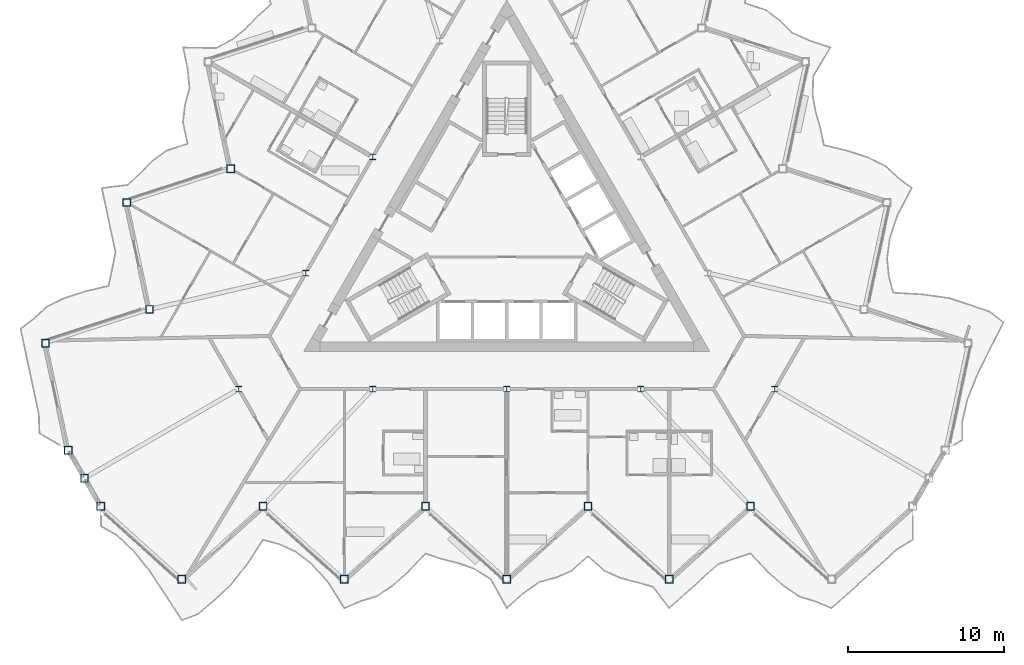
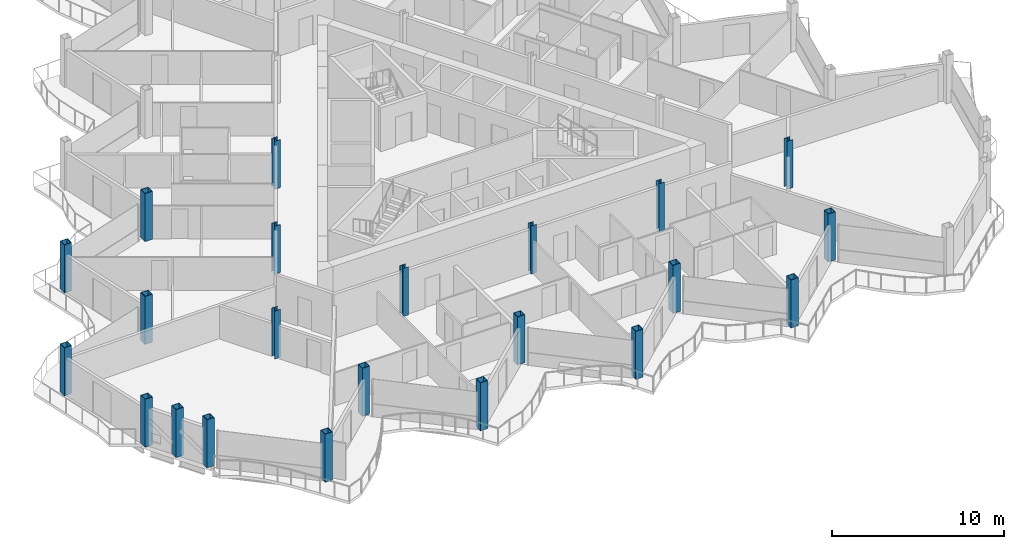
# One storey, part 1 of 25: 22 columns.
"""IFC4 building model written with IfcOpenShell, lengths in metres."""

from ifc_helpers import new_model, si_unit, direction, frame, origin, origin_2d, place, context, subcontext, project, spatial, hollow_rectangle, i_section, extrude, material, material_profile, profile_set, type_object, element, save


model = new_model("IFC4")

# Units and contexts
model_context = context("Model", 3, precision=1e-05, world=origin(), true_north=direction((0.0, 1.0)))
body_context = subcontext(model_context, "Body", "Model", "MODEL_VIEW")
ifc_project = project(units=[si_unit("LENGTHUNIT", "METRE"), si_unit("AREAUNIT", "SQUARE_METRE"), si_unit("VOLUMEUNIT", "CUBIC_METRE"), si_unit("PLANEANGLEUNIT", "RADIAN"), si_unit("MASSUNIT", "GRAM", prefix="KILO")], contexts=[model_context])

# Site, building, storey
site_placement = place(None, origin())
site = spatial("IfcSite", under=ifc_project, at=site_placement, CompositionType="ELEMENT")
building_placement = place(site_placement, origin())
building = spatial("IfcBuilding", under=site, at=building_placement, Name="Cormorant Prow Tower", CompositionType="ELEMENT")
storey_placement = place(building_placement, frame((0.0, 0.0, 391.60009765625)))
storey = spatial("IfcBuildingStorey", under=building, at=storey_placement, Name="L89", CompositionType="ELEMENT", Elevation=391.60009765625)

# Columns
ifc_material_1 = material(Name="Structural steel ASTM A572 Gr 50", Category="steel")
ifc_material_profile_1 = material_profile(ifc_material_1, hollow_rectangle(XDim=0.5, YDim=0.5, WallThickness=0.030029296875, at=origin_2d()), Name="Box 500x500x30")
ifc_profile_set_1 = profile_set([ifc_material_profile_1], Name="Structural steel ASTM A572 Gr 50")
column_type_1 = type_object("IfcColumnType", Name="Perimeter box column 500x500x30", PredefinedType="COLUMN", material=ifc_profile_set_1)
for number, where, z_axis, x_axis, name in (
    (1, (-26.0, -17.40576171875, 0.0), (0.0, 0.0, 1.0), (1.0, 0.0, 0.0), "Perimeter column C7 at S00 L89"),
    (2, (-20.800048828125, -22.087890625, 0.0), (0.0, 0.0, 1.0), (1.0, 0.0, 0.0), "Perimeter column C7 at S01 L89"),
    (3, (-15.60009765625, -17.40576171875, 0.0), (0.0, 0.0, 1.0), (1.0, 0.0, 0.0), "Perimeter column C7 at S02 L89"),
    (4, (-10.39990234375, -22.087890625, 0.0), (0.0, 0.0, 1.0), (1.0, 0.0, 0.0), "Perimeter column C7 at S03 L89"),
    (5, (-5.199951171875, -17.40576171875, 0.0), (0.0, 0.0, 1.0), (1.0, 0.0, 0.0), "Perimeter column C7 at S04 L89"),
    (6, (0.0, -22.087890625, 0.0), (0.0, 0.0, 1.0), (1.0, 0.0, 0.0), "Perimeter column C7 at S05 L89"),
    (7, (5.199951171875, -17.40576171875, 0.0), (0.0, 0.0, 1.0), (1.0, 0.0, 0.0), "Perimeter column C7 at S06 L89"),
    (8, (10.39990234375, -22.087890625, 0.0), (0.0, 0.0, 1.0), (1.0, 0.0, 0.0), "Perimeter column C7 at S07 L89"),
    (9, (15.60009765625, -17.40576171875, 0.0), (0.0, 0.0, 1.0), (1.0, 0.0, 0.0), "Perimeter column C7 at S08 L89"),
    (10, (-17.673828125, 4.199462890625, 0.0), (0.0, 0.0, 1.0), (1.0, 0.0, 0.0), "Perimeter column C7 at WNW06 L89"),
    (11, (-24.32861328125, 2.037353515625, 0.0), (0.0, 0.0, 1.0), (1.0, 0.0, 0.0), "Perimeter column C7 at WNW07 L89"),
    (12, (-22.873779296875, -4.80712890625, 0.0), (0.0, 0.0, 1.0), (1.0, 0.0, 0.0), "Perimeter column C7 at WNW08 L89"),
    (13, (-29.528564453125, -6.969482421875, 0.0), (0.0, 0.0, 1.0), (1.0, 0.0, 0.0), "Perimeter column C7 at WNW09 L89"),
    (14, (-28.07373046875, -13.813720703125, 0.0), (0.0, 0.0, 1.0), (1.0, 0.0, 0.0), "Perimeter column C7 at WSW00 L89"),
    (15, (-27.036865234375, -15.60986328125, 0.0), (0.0, 0.0, 1.0), (1.0, 0.0, 0.0), "Perimeter column C7 at WSW01 L89"),
):
    element("IfcColumn", number, at=place(storey_placement, frame(where, z_axis=z_axis, x_axis=x_axis)), inside=storey, type_object=column_type_1, Name=name, PredefinedType="COLUMN", context=body_context, shape_type="SweptSolid", body=[
        extrude(hollow_rectangle(XDim=0.5, YDim=0.5, WallThickness=0.030029296875, at=origin_2d()), origin(), (0.0, 0.0, 1.0), 3.39990234375),
    ])
ifc_material_2 = material(Name="Structural steel ASTM A992 Gr 50", Category="steel")
ifc_material_profile_2 = material_profile(ifc_material_2, i_section(OverallWidth=0.3740234375, OverallDepth=0.372314453125, WebThickness=0.016357421875, FlangeThickness=0.026123046875, at=origin_2d()), Name="W14x132")
ifc_profile_set_2 = profile_set([ifc_material_profile_2], Name="Structural steel ASTM A992 Gr 50")
column_type_2 = type_object("IfcColumnType", Name="Ring column W14x132", PredefinedType="COLUMN", material=ifc_profile_set_2)
for number, where, z_axis, x_axis, name in (
    (16, (-8.578369140625, 4.952880859375, 0.0), (0.0, 0.0, 1.0), (1.0, 0.0, 0.0), "Ring column 3 L89"),
    (17, (-12.86767578125, -2.476318359375, 0.0), (0.0, 0.0, 1.0), (1.0, 0.0, 0.0), "Ring column 4 L89"),
    (18, (-17.156982421875, -9.905517578125, 0.0), (0.0, 0.0, 1.0), (1.0, 0.0, 0.0), "Ring column 5 L89"),
    (19, (-8.578369140625, -9.905517578125, 0.0), (0.0, 0.0, 1.0), (1.0, 0.0, 0.0), "Ring column 6 L89"),
    (20, (0.0, -9.905517578125, 0.0), (0.0, 0.0, 1.0), (1.0, 0.0, 0.0), "Ring column 7 L89"),
    (21, (8.578369140625, -9.905517578125, 0.0), (0.0, 0.0, 1.0), (1.0, 0.0, 0.0), "Ring column 8 L89"),
    (22, (17.156982421875, -9.905517578125, 0.0), (0.0, 0.0, 1.0), (1.0, 0.0, 0.0), "Ring column 9 L89"),
):
    element("IfcColumn", number, at=place(storey_placement, frame(where, z_axis=z_axis, x_axis=x_axis)), inside=storey, type_object=column_type_2, Name=name, PredefinedType="COLUMN", context=body_context, shape_type="SweptSolid", body=[
        extrude(i_section(OverallWidth=0.3740234375, OverallDepth=0.372314453125, WebThickness=0.016357421875, FlangeThickness=0.026123046875, at=origin_2d()), origin(), (0.0, 0.0, 1.0), 3.39990234375),
    ])

save(model, "model.ifc")
